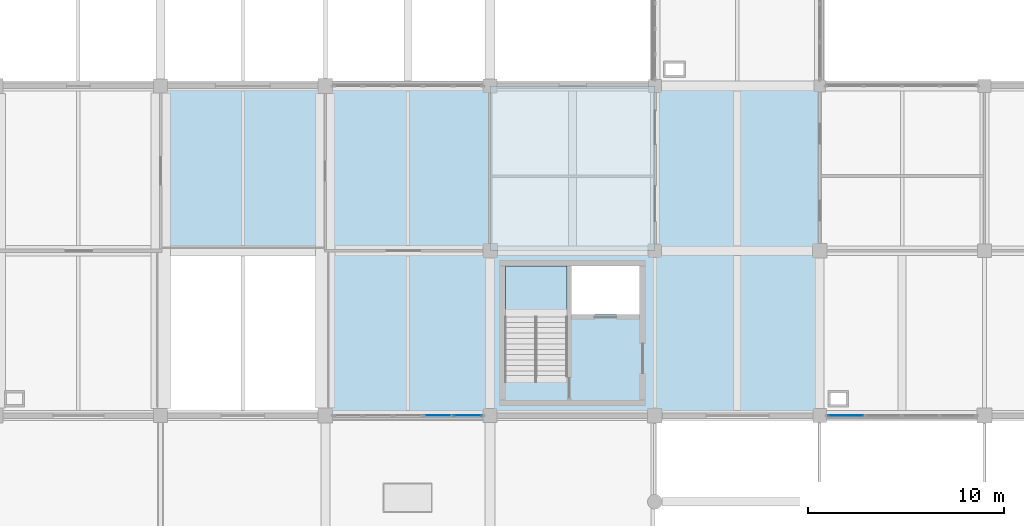
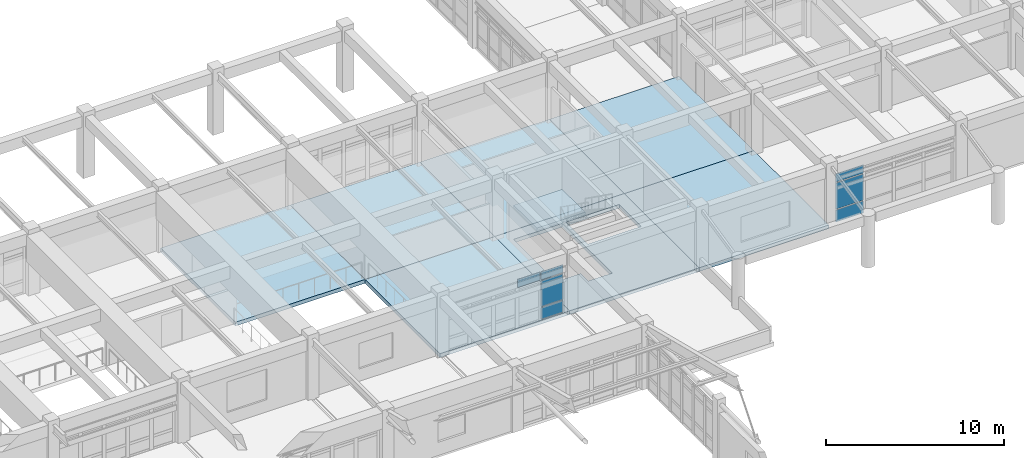
# One storey, part 63 of 99: 8 slabs, 7 plates, 3 elements without a shape of their own.
"""IFC4 building model written with IfcOpenShell, lengths in metres."""

from ifc_helpers import new_model, si_unit, direction, frame, origin, origin_2d, place, context, subcontext, project, spatial, polyline, rectangle, outline, extrude, material, layer, layer_set, type_object, element, aggregate, save


model = new_model("IFC4")

# Units and contexts
model_context = context("Model", 3, precision=1e-05, world=origin(), true_north=direction((0.0, 1.0)))
body_context = subcontext(model_context, "Body", "Model", "MODEL_VIEW")
ifc_project = project(units=[si_unit("LENGTHUNIT", "METRE"), si_unit("AREAUNIT", "SQUARE_METRE"), si_unit("VOLUMEUNIT", "CUBIC_METRE"), si_unit("PLANEANGLEUNIT", "RADIAN"), si_unit("MASSUNIT", "GRAM", prefix="KILO")], contexts=[model_context])

# Site, building, storey
site_placement = place(None, origin())
site = spatial("IfcSite", under=ifc_project, at=site_placement, CompositionType="ELEMENT")
building_placement = place(site_placement, origin())
building = spatial("IfcBuilding", under=site, at=building_placement, Name="Porcellanite Civic Hall", CompositionType="ELEMENT")
storey_placement = place(building_placement, frame((0.0, 0.0, 5.760009765625)))
storey = spatial("IfcBuildingStorey", under=building, at=storey_placement, Name="L01", CompositionType="ELEMENT", Elevation=5.760009765625)

# Curtain wall, plates
ifc_material_1 = material(Name="Anodised aluminium and solar laminated glass", Category="aluminium")
ifc_layer_1 = layer(ifc_material_1, 0.179931640625)
ifc_layer_set_1 = layer_set([ifc_layer_1], Name="Anodised aluminium and solar laminated glass")
curtain_wall_type_1 = type_object("IfcCurtainWallType", Name="CW-SYS01", PredefinedType="NOTDEFINED", material=ifc_layer_set_1)
curtain_wall_1_placement = place(storey_placement, origin())
curtain_wall_1 = element("IfcCurtainWall", 1, at=curtain_wall_1_placement, inside=storey, type_object=curtain_wall_type_1, Name="Curtain wall CW-102", PredefinedType="NOTDEFINED")
ifc_material_2 = material(Name="Cyclone laminated solar-control low-E glass", Category="glass")
ifc_layer_2 = layer(ifc_material_2, 0.02392578125)
ifc_layer_set_2 = layer_set([ifc_layer_2], Name="Cyclone laminated solar-control low-E glass")
plate_type_1 = type_object("IfcPlateType", Name="CWP-01", PredefinedType="CURTAIN_PANEL", material=ifc_layer_set_2)
plate_1_placement = place(storey_placement, frame((108.061767578125, 50.39990234375, 0.070068359375), z_axis=(0.0, 0.0, 1.0), x_axis=(-1.0, 0.0, 0.0)))
plate_1 = element("IfcPlate", 2, at=plate_1_placement, type_object=plate_type_1, Name="CW-102 panel 1.1", PredefinedType="CURTAIN_PANEL", context=body_context, shape_type="SweptSolid", body=[
    extrude(rectangle(XDim=1.41455078125, YDim=0.02392578125, at=origin_2d()), origin(), (0.0, 0.0, 1.0), 0.794921875),
])
plate_2_placement = place(storey_placement, frame((108.061767578125, 50.39990234375, 0.93505859375), z_axis=(0.0, 0.0, 1.0), x_axis=(-1.0, 0.0, 0.0)))
plate_2 = element("IfcPlate", 3, at=plate_2_placement, type_object=plate_type_1, Name="CW-102 panel 1.2", PredefinedType="CURTAIN_PANEL", context=body_context, shape_type="SweptSolid", body=[
    extrude(rectangle(XDim=1.41455078125, YDim=0.02392578125, at=origin_2d()), origin(), (0.0, 0.0, 1.0), 1.780029296875),
])
plate_3_placement = place(storey_placement, frame((108.061767578125, 50.39990234375, 2.784912109375), z_axis=(0.0, 0.0, 1.0), x_axis=(-1.0, 0.0, 0.0)))
plate_3 = element("IfcPlate", 4, at=plate_3_placement, type_object=plate_type_1, Name="CW-102 panel 1.3", PredefinedType="CURTAIN_PANEL", context=body_context, shape_type="SweptSolid", body=[
    extrude(rectangle(XDim=1.41455078125, YDim=0.02392578125, at=origin_2d()), origin(), (0.0, 0.0, 1.0), 0.544921875),
])
plate_4_placement = place(storey_placement, frame((106.547119140625, 50.39990234375, 2.784912109375), z_axis=(0.0, 0.0, 1.0), x_axis=(-1.0, 0.0, 0.0)))
plate_4 = element("IfcPlate", 5, at=plate_4_placement, type_object=plate_type_1, Name="CW-102 panel 2.3", PredefinedType="CURTAIN_PANEL", context=body_context, shape_type="SweptSolid", body=[
    extrude(rectangle(XDim=1.45458984375, YDim=0.02392578125, at=origin_2d()), origin(), (0.0, 0.0, 1.0), 0.544921875),
])
aggregate(curtain_wall_1, [plate_1, plate_2, plate_3, plate_4])

ifc_material_3 = material(Name="Anodised aluminium and solar laminated glass", Category="aluminium")
ifc_layer_3 = layer(ifc_material_3, 0.179931640625)
ifc_layer_set_3 = layer_set([ifc_layer_3], Name="Anodised aluminium and solar laminated glass")
curtain_wall_type_2 = type_object("IfcCurtainWallType", Name="CW-SYS04", PredefinedType="NOTDEFINED", material=ifc_layer_set_3)
curtain_wall_2_placement = place(storey_placement, origin())
curtain_wall_2 = element("IfcCurtainWall", 6, at=curtain_wall_2_placement, inside=storey, type_object=curtain_wall_type_2, Name="Curtain wall CW-115", PredefinedType="NOTDEFINED")
ifc_material_4 = material(Name="Cyclone laminated solar-control low-E glass", Category="glass")
ifc_layer_4 = layer(ifc_material_4, 0.033935546875)
ifc_layer_set_4 = layer_set([ifc_layer_4], Name="Cyclone laminated solar-control low-E glass")
plate_type_2 = type_object("IfcPlateType", Name="CWP-06", PredefinedType="CURTAIN_PANEL", material=ifc_layer_set_4)
plate_5_placement = place(storey_placement, frame((127.328857421875, 50.39990234375, 0.054931640625), z_axis=(0.0, 0.0, 1.0), x_axis=(-1.0, 0.0, 0.0)))
plate_5 = element("IfcPlate", 7, at=plate_5_placement, type_object=plate_type_2, Name="CW-115 panel 4.1", PredefinedType="CURTAIN_PANEL", context=body_context, shape_type="SweptSolid", body=[
    extrude(rectangle(XDim=1.8056640625, YDim=0.033935546875, at=origin_2d()), origin(), (0.0, 0.0, 1.0), 0.8173828125),
])
plate_6_placement = place(storey_placement, frame((127.328857421875, 50.39990234375, 0.927490234375), z_axis=(0.0, 0.0, 1.0), x_axis=(-1.0, 0.0, 0.0)))
plate_6 = element("IfcPlate", 8, at=plate_6_placement, type_object=plate_type_2, Name="CW-115 panel 4.2", PredefinedType="CURTAIN_PANEL", context=body_context, shape_type="SweptSolid", body=[
    extrude(rectangle(XDim=1.8056640625, YDim=0.033935546875, at=origin_2d()), origin(), (0.0, 0.0, 1.0), 1.794921875),
])
plate_7_placement = place(storey_placement, frame((127.328857421875, 50.39990234375, 2.777587890625), z_axis=(0.0, 0.0, 1.0), x_axis=(-1.0, 0.0, 0.0)))
plate_7 = element("IfcPlate", 9, at=plate_7_placement, type_object=plate_type_2, Name="CW-115 panel 4.3", PredefinedType="CURTAIN_PANEL", context=body_context, shape_type="SweptSolid", body=[
    extrude(rectangle(XDim=1.8056640625, YDim=0.033935546875, at=origin_2d()), origin(), (0.0, 0.0, 1.0), 0.5673828125),
])
aggregate(curtain_wall_2, [plate_5, plate_6, plate_7])

# Stair, slab
ifc_material_5 = material(Name="Concrete N40 (40 MPa)", Category="concrete")
stair_type = type_object("IfcStairType", Name="STR-HT25", PredefinedType="HALF_TURN_STAIR", material=ifc_material_5)
stair_placement = place(storey_placement, origin())
stair = element("IfcStair", 10, at=stair_placement, inside=storey, type_object=stair_type, Name="Fire stair ST-06 L01", PredefinedType="HALF_TURN_STAIR")
ifc_material_6 = material(Name="Concrete N40 (40 MPa)", Category="concrete")
ifc_layer_5 = layer(ifc_material_6, 0.179931640625)
ifc_layer_set_5 = layer_set([ifc_layer_5], Name="Concrete N40 (40 MPa)")
slab_type_1 = type_object("IfcSlabType", Name="LND-18", PredefinedType="LANDING", material=ifc_layer_set_5)
slab_1_placement = place(storey_placement, frame((0.0, 0.0, 2.159912109375)))
slab_1 = element("IfcSlab", 11, at=slab_1_placement, type_object=slab_type_1, Name="ST-06 landing 1", PredefinedType="LANDING", context=body_context, shape_type="SweptSolid", body=[
    extrude(outline(polyline([(109.98046875, 55.425048828125), (113.119384765625, 55.425048828125), (113.119384765625, 58.01953125), (109.98046875, 58.01953125), (109.98046875, 55.425048828125)])), origin(), (0.0, 0.0, 1.0), 0.18017578125),
])
aggregate(stair, [slab_1])

# Slabs
ifc_material_7 = material(Name="Concrete N40 (40 MPa)", Category="concrete")
ifc_layer_6 = layer(ifc_material_7, 0.25)
ifc_layer_set_6 = layer_set([ifc_layer_6], Name="Concrete N40 (40 MPa)")
slab_type_2 = type_object("IfcSlabType", Name="SL-FL250", PredefinedType="FLOOR", material=ifc_layer_set_6)
slab_2_placement = place(storey_placement, frame((0.0, 0.0, -0.25)))
element("IfcSlab", 12, at=slab_2_placement, inside=storey, type_object=slab_type_2, Name="Slab L01 bay 13-8", PredefinedType="FLOOR", context=body_context, shape_type="SweptSolid", body=[
    extrude(outline(polyline([(100.800048828125, 58.800048828125), (109.199951171875, 58.800048828125), (109.199951171875, 67.199951171875), (100.800048828125, 67.199951171875), (100.800048828125, 58.800048828125)])), origin(), (0.0, 0.0, 1.0), 0.25),
])
slab_3_placement = place(storey_placement, frame((0.0, 0.0, -0.25)))
element("IfcSlab", 13, at=slab_3_placement, inside=storey, type_object=slab_type_2, Name="Slab L01 bay 14-7", PredefinedType="FLOOR", context=body_context, shape_type="SweptSolid", body=[
    extrude(outline(polyline([(109.199951171875, 50.39990234375), (117.60009765625, 50.39990234375), (117.60009765625, 58.800048828125), (109.199951171875, 58.800048828125), (109.199951171875, 50.39990234375)]), holes=[polyline([(109.97998046875, 53.25), (111.56005859375, 53.25), (111.56005859375, 52.39990234375), (113.1201171875, 52.39990234375), (113.1201171875, 58.02001953125), (109.97998046875, 58.02001953125), (109.97998046875, 53.25)]), polyline([(113.360107421875, 55.5400390625), (116.820068359375, 55.5400390625), (116.820068359375, 58.02001953125), (113.360107421875, 58.02001953125), (113.360107421875, 55.5400390625)])]), origin(), (0.0, 0.0, 1.0), 0.25),
])
slab_4_placement = place(storey_placement, frame((0.0, 0.0, -0.25)))
element("IfcSlab", 14, at=slab_4_placement, inside=storey, type_object=slab_type_2, Name="Slab L01 bay 14-8", PredefinedType="FLOOR", context=body_context, shape_type="SweptSolid", body=[
    extrude(outline(polyline([(109.199951171875, 58.800048828125), (117.60009765625, 58.800048828125), (117.60009765625, 67.199951171875), (109.199951171875, 67.199951171875), (109.199951171875, 58.800048828125)])), origin(), (0.0, 0.0, 1.0), 0.25),
])
slab_5_placement = place(storey_placement, frame((0.0, 0.0, -0.25)))
element("IfcSlab", 15, at=slab_5_placement, inside=storey, type_object=slab_type_2, Name="Slab L01 bay 15-7", PredefinedType="FLOOR", context=body_context, shape_type="SweptSolid", body=[
    extrude(outline(polyline([(117.60009765625, 50.39990234375), (126.0, 50.39990234375), (126.0, 58.800048828125), (117.60009765625, 58.800048828125), (117.60009765625, 50.39990234375)])), origin(), (0.0, 0.0, 1.0), 0.25),
])
ifc_material_8 = material(Name="Concrete N40 (40 MPa)", Category="concrete")
ifc_layer_7 = layer(ifc_material_8, 0.260009765625)
ifc_layer_set_7 = layer_set([ifc_layer_7], Name="Concrete N40 (40 MPa)")
slab_type_3 = type_object("IfcSlabType", Name="SL-FL260", PredefinedType="FLOOR", material=ifc_layer_set_7)
slab_6_placement = place(storey_placement, frame((0.0, 0.0, -0.260009765625)))
element("IfcSlab", 16, at=slab_6_placement, inside=storey, type_object=slab_type_3, Name="Slab L01 bay 12-8", PredefinedType="FLOOR", context=body_context, shape_type="SweptSolid", body=[
    extrude(outline(polyline([(92.39990234375, 58.800048828125), (100.800048828125, 58.800048828125), (100.800048828125, 67.199951171875), (92.39990234375, 67.199951171875), (92.39990234375, 58.800048828125)])), origin(), (0.0, 0.0, 1.0), 0.260009765625),
])
slab_7_placement = place(storey_placement, frame((0.0, 0.0, -0.260009765625)))
element("IfcSlab", 17, at=slab_7_placement, inside=storey, type_object=slab_type_3, Name="Slab L01 bay 13-7", PredefinedType="FLOOR", context=body_context, shape_type="SweptSolid", body=[
    extrude(outline(polyline([(100.800048828125, 50.39990234375), (109.199951171875, 50.39990234375), (109.199951171875, 58.800048828125), (100.800048828125, 58.800048828125), (100.800048828125, 50.39990234375)])), origin(), (0.0, 0.0, 1.0), 0.260009765625),
])
slab_8_placement = place(storey_placement, frame((0.0, 0.0, -0.260009765625)))
element("IfcSlab", 18, at=slab_8_placement, inside=storey, type_object=slab_type_3, Name="Slab L01 bay 15-8", PredefinedType="FLOOR", context=body_context, shape_type="SweptSolid", body=[
    extrude(outline(polyline([(117.60009765625, 58.800048828125), (126.0, 58.800048828125), (126.0, 67.199951171875), (117.60009765625, 67.199951171875), (117.60009765625, 58.800048828125)])), origin(), (0.0, 0.0, 1.0), 0.260009765625),
])

save(model, "model.ifc")
